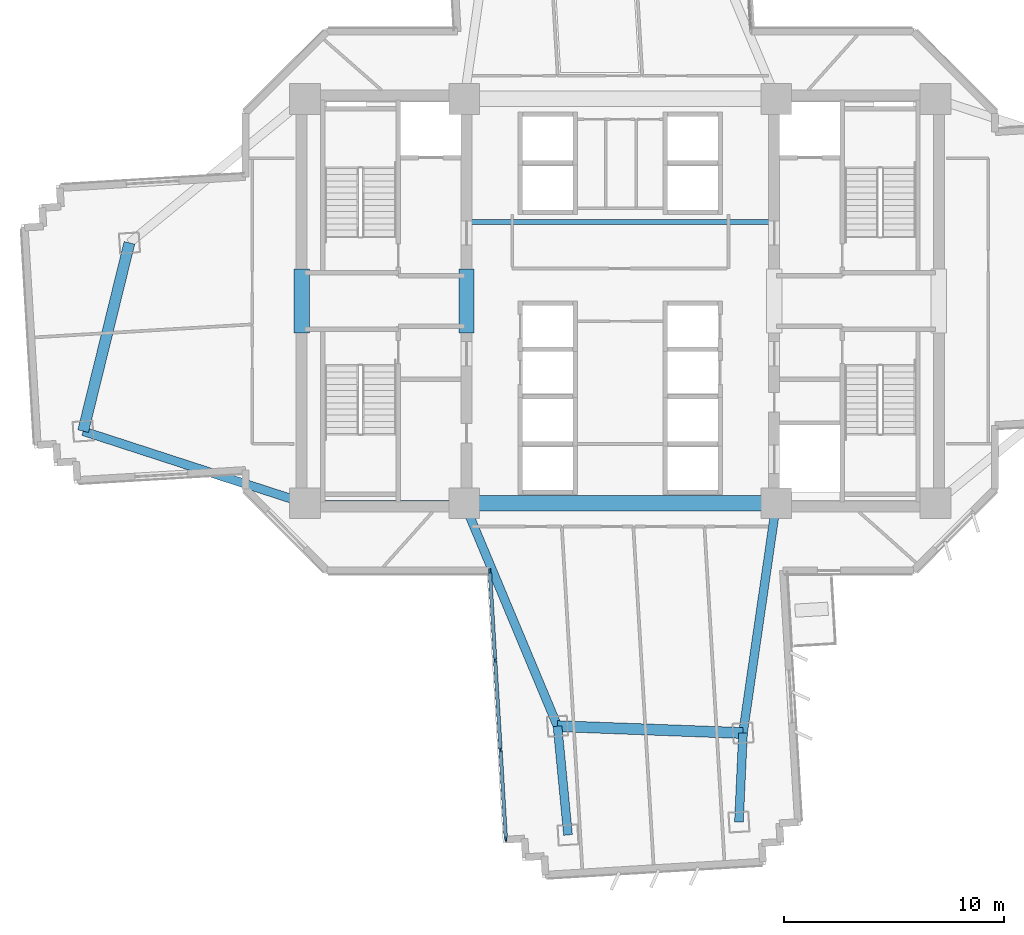
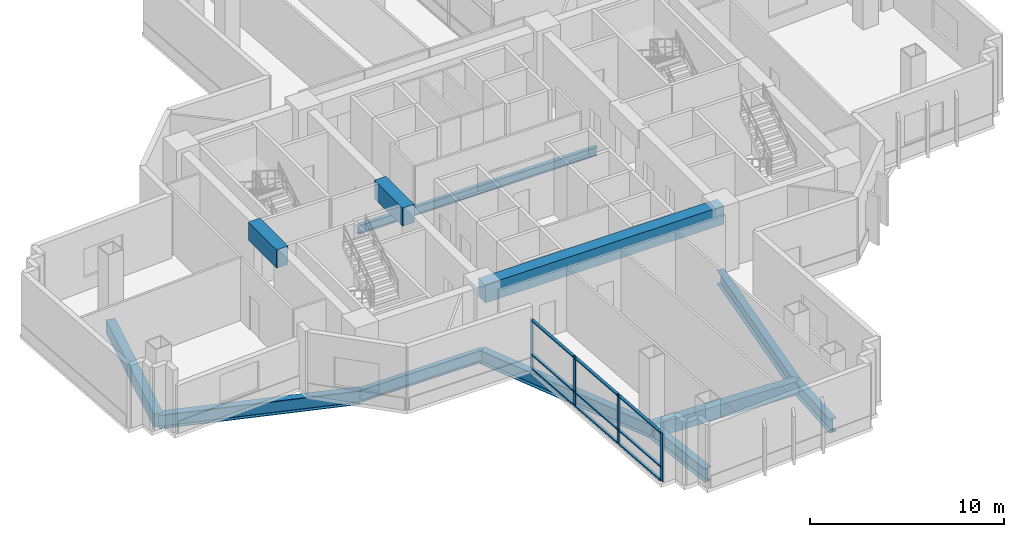
# One storey, part 2 of 15: 13 members, 12 beams, 1 element without a shape of its own.
"""IFC4 building model written with IfcOpenShell, lengths in metres."""

import ifcopenshell
import ifcopenshell.guid

model = None  # the IFC model being written
_history = None  # IfcOwnerHistory: only IFC2X3 demands one
_inside = {}  # id of a spatial element -> (the spatial element, [elements in it])
_under = {}  # id of a project, library or spatial element -> (it, [spatial elements below it])
_declared = {}  # id of a project -> (the project, [libraries it declares])
_typed = {}  # id of a type object -> (the type object, [elements of that type])
_made_of = {}  # id of a material, layer set ... -> (it, [elements and type objects made of it])


def new_model(schema):
    """Start an empty IFC model of exactly this schema.

    Asked for "IFC4X3", IfcOpenShell would pick the latest addendum, in which some entities
    have other attributes; the version numbers below select the first issue.
    IFC2X3 requires an IfcOwnerHistory on every rooted entity: one is made here for all.
    """
    global model, _history
    if schema == "IFC4X3":
        model = ifcopenshell.file(schema_version=(4, 3, 0, 0))
    else:
        model = ifcopenshell.file(schema=schema)
    _inside.clear()
    _under.clear()
    _declared.clear()
    _typed.clear()
    _made_of.clear()
    _history = None
    if model.schema == "IFC2X3":
        org = make("IfcOrganization", Name="unknown")
        user = make(
            "IfcPersonAndOrganization",
            ThePerson=make("IfcPerson", FamilyName="unknown"),
            TheOrganization=org,
        )
        app = make(
            "IfcApplication",
            ApplicationDeveloper=org,
            Version="unknown",
            ApplicationFullName="unknown",
            ApplicationIdentifier="unknown",
        )
        _history = make(
            "IfcOwnerHistory",
            OwningUser=user,
            OwningApplication=app,
            ChangeAction="ADDED",
            CreationDate=0,
        )
    return model


def make(cls, **values):
    """One entity of the class cls with the attributes given. An attribute that is None is left unset."""
    return model.create_entity(
        cls, **{name: value for name, value in values.items() if value is not None}
    )


def rooted(cls, **values):
    """An entity with a GlobalId (a new one), such as an element, a storey or a relation."""
    return make(cls, GlobalId=ifcopenshell.guid.new(), OwnerHistory=_history, **values)


def si_unit(unit_type, name, prefix=None):
    """IfcSIUnit, for example si_unit("LENGTHUNIT", "METRE", prefix="MILLI")."""
    return make("IfcSIUnit", UnitType=unit_type, Prefix=prefix, Name=name)


def assignment(units):
    """IfcUnitAssignment: the units of a project."""
    return None if units is None else make("IfcUnitAssignment", Units=units)


def point(xyz):
    """IfcCartesianPoint."""
    return None if xyz is None else make("IfcCartesianPoint", Coordinates=xyz)


def direction(xyz):
    """IfcDirection."""
    return None if xyz is None else make("IfcDirection", DirectionRatios=xyz)


def frame(location, z_axis=None, x_axis=None):
    """IfcAxis2Placement3D, a coordinate frame: its origin and axes. An axis left out is left unset."""
    return make(
        "IfcAxis2Placement3D",
        Location=point(location),
        Axis=direction(z_axis),
        RefDirection=direction(x_axis),
    )


def frame_2d(location, x_axis=None):
    """IfcAxis2Placement2D, a coordinate frame in the plane: its origin and x axis."""
    return make(
        "IfcAxis2Placement2D", Location=point(location), RefDirection=direction(x_axis)
    )


def origin():
    """The frame at (0, 0, 0) with its axes left unset."""
    return frame((0.0, 0.0, 0.0))


def origin_2d():
    """The frame at (0, 0) in the plane with its x axis left unset."""
    return frame_2d((0.0, 0.0))


def place(relative_to, where):
    """IfcLocalPlacement: puts the frame where relative to a parent placement (None: the world)."""
    return make(
        "IfcLocalPlacement", PlacementRelTo=relative_to, RelativePlacement=where
    )


def context(
    kind, dimensions, precision=None, world=None, true_north=None, identifier=None
):
    """IfcGeometricRepresentationContext, for example the 3D "Model" context."""
    return make(
        "IfcGeometricRepresentationContext",
        ContextIdentifier=identifier,
        ContextType=kind,
        CoordinateSpaceDimension=dimensions,
        Precision=precision,
        WorldCoordinateSystem=world,
        TrueNorth=true_north,
    )


def subcontext(parent, identifier, kind, view, scale=None):
    """IfcGeometricRepresentationSubContext, for example "Body" below "Model"."""
    return make(
        "IfcGeometricRepresentationSubContext",
        ContextIdentifier=identifier,
        ContextType=kind,
        ParentContext=parent,
        TargetScale=scale,
        TargetView=view,
    )


def project(units=None, contexts=None):
    """IfcProject with its units and contexts."""
    return rooted(
        "IfcProject",
        Name="project",
        RepresentationContexts=contexts,
        UnitsInContext=assignment(units),
    )


def spatial(cls, under=None, at=None, **own):
    """A site, building, storey or space (cls), placed at a placement, below another one or the project."""
    s = rooted(cls, ObjectPlacement=at, **own)
    if under is not None:
        _under.setdefault(under.id(), (under, []))[1].append(s)
    return s


def profile(cls, at=None, kind="AREA", **sizes):
    """A parametric profile (cls). Its sizes go by their IFC names, for example OverallWidth=200.0."""
    return make(cls, ProfileType=kind, Position=at, **sizes)


def rectangle(**sizes):
    """IfcRectangleProfileDef."""
    return profile("IfcRectangleProfileDef", **sizes)


def i_section(**sizes):
    """IfcIShapeProfileDef."""
    return profile("IfcIShapeProfileDef", **sizes)


def extrude(swept, where, along, depth):
    """IfcExtrudedAreaSolid: the profile swept, set in the frame where, extruded along a direction by depth."""
    return make(
        "IfcExtrudedAreaSolid",
        SweptArea=swept,
        Position=where,
        ExtrudedDirection=direction(along),
        Depth=depth,
    )


def shape(context_of_items, identifier, shape_type, items):
    """IfcShapeRepresentation: the items that make up one representation, for example the "Body"."""
    return make(
        "IfcShapeRepresentation",
        ContextOfItems=context_of_items,
        RepresentationIdentifier=identifier,
        RepresentationType=shape_type,
        Items=items,
    )


def source(mapping_origin, context_of_items, identifier, shape_type, items):
    """IfcRepresentationMap: a shape defined once, which mapped items show again and again."""
    return make(
        "IfcRepresentationMap",
        MappingOrigin=mapping_origin,
        MappedRepresentation=shape(context_of_items, identifier, shape_type, items),
    )


def transform(
    local_origin,
    x_axis=None,
    y_axis=None,
    z_axis=None,
    scale=None,
    scale2=None,
    scale3=None,
    uniform=True,
):
    """IfcCartesianTransformationOperator3D, or its non-uniform kind. x_axis, y_axis, z_axis: its Axis1, 2, 3."""
    if uniform:
        return make(
            "IfcCartesianTransformationOperator3D",
            Axis1=direction(x_axis),
            Axis2=direction(y_axis),
            LocalOrigin=point(local_origin),
            Scale=scale,
            Axis3=direction(z_axis),
        )
    return make(
        "IfcCartesianTransformationOperator3DnonUniform",
        Axis1=direction(x_axis),
        Axis2=direction(y_axis),
        LocalOrigin=point(local_origin),
        Scale=scale,
        Axis3=direction(z_axis),
        Scale2=scale2,
        Scale3=scale3,
    )


def mapped(mapping_source, mapping_target):
    """IfcMappedItem: shows the shape of a source again, moved by a transform."""
    return make(
        "IfcMappedItem", MappingSource=mapping_source, MappingTarget=mapping_target
    )


def material(Name=None, Category=None):
    """IfcMaterial."""
    return make("IfcMaterial", Name=Name, Category=Category)


def layer(
    of_material, thickness, ventilated=None, Name=None, Category=None, Priority=None
):
    """IfcMaterialLayer: one layer of a wall or slab, of a material (None: an air gap)."""
    return make(
        "IfcMaterialLayer",
        Material=of_material,
        LayerThickness=thickness,
        IsVentilated=ventilated,
        Name=Name,
        Category=Category,
        Priority=Priority,
    )


def layer_set(layers, Name=None):
    """IfcMaterialLayerSet."""
    return make("IfcMaterialLayerSet", MaterialLayers=layers, LayerSetName=Name)


def material_profile(
    of_material, cross_section, Name=None, Category=None, Priority=None
):
    """IfcMaterialProfile: a cross section and its material."""
    return make(
        "IfcMaterialProfile",
        Name=Name,
        Material=of_material,
        Profile=cross_section,
        Priority=Priority,
        Category=Category,
    )


def profile_set(profiles, Name=None, composite=None):
    """IfcMaterialProfileSet."""
    return make(
        "IfcMaterialProfileSet",
        Name=Name,
        MaterialProfiles=profiles,
        CompositeProfile=composite,
    )


def made_of(thing, what):
    """Note that an element or type object is made of a material, layer set ...; save() writes the relation."""
    if what is not None:
        _made_of.setdefault(what.id(), (what, []))[1].append(thing)
    return thing


def type_object(cls, material=None, **own):
    """A type object (cls), such as IfcWallType, which elements share."""
    return made_of(rooted(cls, **own), material)


def element(
    cls,
    number,
    at=None,
    inside=None,
    cuts=None,
    type_object=None,
    material=None,
    context=None,
    identifier="Body",
    shape_type=None,
    held_by="IfcProductDefinitionShape",
    body=None,
    shapes=None,
    **own,
):
    """One element of the class cls, such as IfcWall. Its Tag is "e" and its number.

    at: its placement. inside: the storey or other place that contains it. cuts: it is an
    opening in that element (IfcRelVoidsElement). A single representation is given by context,
    identifier, shape_type and body (its items); several are given by shapes. held_by: the class
    of the entity that holds the representations. save() writes the other relations.
    """
    e = rooted(cls, Tag="e%d" % number, ObjectPlacement=at, **own)
    if body is not None:
        shapes = [shape(context, identifier, shape_type, body)]
    if shapes is not None:
        e.Representation = make(held_by, Representations=shapes)
    if inside is not None:
        _inside.setdefault(inside.id(), (inside, []))[1].append(e)
    if cuts is not None:
        rooted(
            "IfcRelVoidsElement", RelatingBuildingElement=cuts, RelatedOpeningElement=e
        )
    if type_object is not None:
        _typed.setdefault(type_object.id(), (type_object, []))[1].append(e)
    return made_of(e, material)


def aggregate(whole, parts):
    """IfcRelAggregates: a whole, such as a stair, and the parts it consists of."""
    return rooted("IfcRelAggregates", RelatingObject=whole, RelatedObjects=parts)


def save(model, path):
    """Write the relations noted so far, then the file.

    IfcRelAggregates (storeys below a building ...), IfcRelContainedInSpatialStructure (elements
    in a storey), IfcRelDefinesByType, IfcRelAssociatesMaterial and IfcRelDeclares: one each for
    every whole, place, type object, material and project.
    """
    for whole, parts in _under.values():
        aggregate(whole, parts)
    for where, things in _inside.values():
        rooted(
            "IfcRelContainedInSpatialStructure",
            RelatedElements=things,
            RelatingStructure=where,
        )
    for kind, things in _typed.values():
        rooted("IfcRelDefinesByType", RelatedObjects=things, RelatingType=kind)
    for what, things in _made_of.values():
        rooted("IfcRelAssociatesMaterial", RelatedObjects=things, RelatingMaterial=what)
    for by, libraries in _declared.values():
        rooted("IfcRelDeclares", RelatingContext=by, RelatedDefinitions=libraries)
    model.write(path)


model = new_model("IFC4")

# Units and contexts
model_context = context("Model", 3, precision=1e-05, world=origin(), true_north=direction((0.0, 1.0)))
body_context = subcontext(model_context, "Body", "Model", "MODEL_VIEW")
ifc_project = project(units=[si_unit("LENGTHUNIT", "METRE"), si_unit("AREAUNIT", "SQUARE_METRE"), si_unit("VOLUMEUNIT", "CUBIC_METRE"), si_unit("PLANEANGLEUNIT", "RADIAN"), si_unit("MASSUNIT", "GRAM", prefix="KILO")], contexts=[model_context])

# Site, building, storey
site_placement = place(None, origin())
site = spatial("IfcSite", under=ifc_project, at=site_placement, CompositionType="ELEMENT")
building_placement = place(site_placement, origin())
building = spatial("IfcBuilding", under=site, at=building_placement, Name="Zahravan Cultural Tower", CompositionType="ELEMENT")
storey_placement = place(building_placement, frame((0.0, 0.0, 75.300048828125)))
storey = spatial("IfcBuildingStorey", under=building, at=storey_placement, Name="L16", CompositionType="ELEMENT", Elevation=75.300048828125)

# Beams
ifc_material_1 = material(Name="Concrete C50/60", Category="concrete")
ifc_material_profile_1 = material_profile(ifc_material_1, rectangle(XDim=0.699951171875, YDim=1.14990234375, at=origin_2d()), Name="RC700X1150")
ifc_profile_set_1 = profile_set([ifc_material_profile_1], Name="Concrete C50/60")
beam_type_1 = type_object("IfcBeamType", Name="BM-LN-RC700X1150", PredefinedType="LINTEL", material=ifc_profile_set_1)
shared_shape_1 = source(origin(), body_context, "Body", "SweptSolid", [
    extrude(rectangle(XDim=0.699951171875, YDim=1.14990234375, at=origin_2d()), origin(), (0.0, 0.0, 1.0), 14.2001953125),
])
beam_1_placement = place(storey_placement, frame((28.89990234375, 17.800048828125, 3.375), z_axis=(1.0, 0.0, 0.0), x_axis=(0.0, 1.0, 0.0)))
element("IfcBeam", 1, at=beam_1_placement, inside=storey, type_object=beam_type_1, Name="L16 Beam LN-L16-S", PredefinedType="LINTEL", context=body_context, shape_type="MappedRepresentation", body=[
    mapped(shared_shape_1, transform((0.0, 0.0, 0.0), x_axis=(1.0, 0.0, 0.0), y_axis=(0.0, 1.0, 0.0), z_axis=(0.0, 0.0, 1.0), scale=1.0)),
])
shared_shape_2 = source(origin(), body_context, "Body", "SweptSolid", [
    extrude(rectangle(XDim=0.699951171875, YDim=1.14990234375, at=origin_2d()), origin(), (0.0, 0.0, 1.0), 2.89990234375),
])
for number, where, z_axis, x_axis, name in (
    (2, (21.5, 25.550048828125, 3.375), (0.0, 1.0, 0.0), (-1.0, 0.0, 0.0), "L16 Beam LN-L16-PWW"),
    (3, (29.0, 25.550048828125, 3.375), (0.0, 1.0, 0.0), (-1.0, 0.0, 0.0), "L16 Beam LN-L16-PWE"),
):
    element("IfcBeam", number, at=place(storey_placement, frame(where, z_axis=z_axis, x_axis=x_axis)), inside=storey, type_object=beam_type_1, Name=name, PredefinedType="LINTEL", context=body_context, shape_type="MappedRepresentation", body=[
        mapped(shared_shape_2, transform((0.0, 0.0, 0.0), x_axis=(1.0, 0.0, 0.0), y_axis=(0.0, 1.0, 0.0), z_axis=(0.0, 0.0, 1.0), scale=1.0)),
    ])
ifc_material_2 = material(Name="Steel ASTM A992 Grade 50", Category="steel")
ifc_material_profile_2 = material_profile(ifc_material_2, i_section(OverallWidth=0.26611328125, OverallDepth=0.780029296875, WebThickness=0.0166015625, FlangeThickness=0.030029296875, FilletRadius=0.01904296875, at=origin_2d()), Name="W30X148")
ifc_profile_set_2 = profile_set([ifc_material_profile_2], Name="Steel ASTM A992 Grade 50")
beam_type_2 = type_object("IfcBeamType", Name="BM-G-W30X148", PredefinedType="BEAM", material=ifc_profile_set_2)
shared_shape_3 = source(origin(), body_context, "Body", "SweptSolid", [
    extrude(i_section(OverallWidth=0.26611328125, OverallDepth=0.780029296875, WebThickness=0.0166015625, FlangeThickness=0.030029296875, FilletRadius=0.01904296875, at=origin_2d()), origin(), (0.0, 0.0, 1.0), 7.25),
])
beam_2_placement = place(storey_placement, frame((21.64990234375, 17.800048828125, -0.64013671875), z_axis=(1.0, 0.0, 0.0), x_axis=(0.0, 1.0, 0.0)))
element("IfcBeam", 4, at=beam_2_placement, inside=storey, type_object=beam_type_2, Name="L16 Beam BG-L16-01", PredefinedType="BEAM", context=body_context, shape_type="MappedRepresentation", body=[
    mapped(shared_shape_3, transform((0.0, 0.0, 0.0), x_axis=(1.0, 0.0, 0.0), y_axis=(0.0, 1.0, 0.0), z_axis=(0.0, 0.0, 1.0), scale=1.0)),
])
ifc_material_profile_3 = material_profile(ifc_material_1, rectangle(XDim=0.5, YDim=0.85009765625, at=origin_2d()), Name="RC500X850")
ifc_profile_set_3 = profile_set([ifc_material_profile_3], Name="Concrete C50/60")
beam_type_3 = type_object("IfcBeamType", Name="BM-SP-RC500X850", PredefinedType="SPANDREL", material=ifc_profile_set_3)
shared_shape_4 = source(origin(), body_context, "Body", "SweptSolid", [
    extrude(rectangle(XDim=0.5, YDim=0.85009765625, at=origin_2d()), origin(), (0.0, 0.0, 1.0), 8.4482421875),
])
beam_3_placement = place(storey_placement, frame((33.142578125, 7.653564453125, -0.675048828125), z_axis=(0.999318826256, -0.036903705643, 0.0), x_axis=(0.036903705643, 0.999318826256, 0.0)))
element("IfcBeam", 5, at=beam_3_placement, inside=storey, type_object=beam_type_3, Name="L16 Beam SP-L16-19", PredefinedType="SPANDREL", context=body_context, shape_type="MappedRepresentation", body=[
    mapped(shared_shape_4, transform((0.0, 0.0, 0.0), x_axis=(1.0, 0.0, 0.0), y_axis=(0.0, 1.0, 0.0), z_axis=(0.0, 0.0, 1.0), scale=1.0)),
])
shared_shape_5 = source(origin(), body_context, "Body", "SweptSolid", [
    extrude(rectangle(XDim=0.5, YDim=0.85009765625, at=origin_2d()), origin(), (0.0, 0.0, 1.0), 8.8232421875),
])
beam_4_placement = place(storey_placement, frame((13.660888671875, 29.648193359375, -0.675048828125), z_axis=(-0.238848860516, -0.971056755206, 0.0), x_axis=(0.971056755206, -0.238848860516, 0.0)))
element("IfcBeam", 6, at=beam_4_placement, inside=storey, type_object=beam_type_3, Name="L16 Beam SP-L16-22", PredefinedType="SPANDREL", context=body_context, shape_type="MappedRepresentation", body=[
    mapped(shared_shape_5, transform((0.0, 0.0, 0.0), x_axis=(1.0, 0.0, 0.0), y_axis=(0.0, 1.0, 0.0), z_axis=(0.0, 0.0, 1.0), scale=1.0)),
])
ifc_material_profile_4 = material_profile(ifc_material_2, i_section(OverallWidth=0.39990234375, OverallDepth=0.862060546875, WebThickness=0.019775390625, FlangeThickness=0.032470703125, FilletRadius=0.02001953125, at=origin_2d()), Name="W33X221")
ifc_profile_set_4 = profile_set([ifc_material_profile_4], Name="Steel ASTM A992 Grade 50")
beam_type_4 = type_object("IfcBeamType", Name="BM-G-W33X221", PredefinedType="BEAM", material=ifc_profile_set_4)
shared_shape_6 = source(origin(), body_context, "Body", "SweptSolid", [
    extrude(i_section(OverallWidth=0.39990234375, OverallDepth=0.862060546875, WebThickness=0.019775390625, FlangeThickness=0.032470703125, FilletRadius=0.02001953125, at=origin_2d()), origin(), (0.0, 0.0, 1.0), 10.615966796875),
])
beam_5_placement = place(storey_placement, frame((21.64990234375, 17.800048828125, -0.68115234375), z_axis=(-0.951063640083, 0.30899506875, 0.0), x_axis=(-0.30899506875, -0.951063640083, 0.0)))
element("IfcBeam", 7, at=beam_5_placement, inside=storey, type_object=beam_type_4, Name="L16 Beam BG-L16-07", PredefinedType="BEAM", context=body_context, shape_type="MappedRepresentation", body=[
    mapped(shared_shape_6, transform((0.0, 0.0, 0.0), x_axis=(1.0, 0.0, 0.0), y_axis=(0.0, 1.0, 0.0), z_axis=(0.0, 0.0, 1.0), scale=1.0)),
])
shared_shape_7 = source(origin(), body_context, "Body", "SweptSolid", [
    extrude(i_section(OverallWidth=0.39990234375, OverallDepth=0.862060546875, WebThickness=0.019775390625, FlangeThickness=0.032470703125, FilletRadius=0.02001953125, at=origin_2d()), origin(), (0.0, 0.0, 1.0), 10.997802734375),
])
beam_6_placement = place(storey_placement, frame((28.89990234375, 17.800048828125, -0.68115234375), z_axis=(0.385775211449, -0.922592806297, 0.0), x_axis=(0.922592806297, 0.385775211449, 0.0)))
element("IfcBeam", 8, at=beam_6_placement, inside=storey, type_object=beam_type_4, Name="L16 Beam BG-L16-08", PredefinedType="BEAM", context=body_context, shape_type="MappedRepresentation", body=[
    mapped(shared_shape_7, transform((0.0, 0.0, 0.0), x_axis=(1.0, 0.0, 0.0), y_axis=(0.0, 1.0, 0.0), z_axis=(0.0, 0.0, 1.0), scale=1.0)),
])
shared_shape_8 = source(origin(), body_context, "Body", "SweptSolid", [
    extrude(i_section(OverallWidth=0.39990234375, OverallDepth=0.862060546875, WebThickness=0.019775390625, FlangeThickness=0.032470703125, FilletRadius=0.02001953125, at=origin_2d()), origin(), (0.0, 0.0, 1.0), 10.5673828125),
])
beam_7_placement = place(storey_placement, frame((43.10009765625, 17.800048828125, -0.68115234375), z_axis=(-0.143377913539, -0.989668011966, 0.0), x_axis=(0.989668011966, -0.143377913539, 0.0)))
element("IfcBeam", 9, at=beam_7_placement, inside=storey, type_object=beam_type_4, Name="L16 Beam BG-L16-09", PredefinedType="BEAM", context=body_context, shape_type="MappedRepresentation", body=[
    mapped(shared_shape_8, transform((0.0, 0.0, 0.0), x_axis=(1.0, 0.0, 0.0), y_axis=(0.0, 1.0, 0.0), z_axis=(0.0, 0.0, 1.0), scale=1.0)),
])
shared_shape_9 = source(origin(), body_context, "Body", "SweptSolid", [
    extrude(i_section(OverallWidth=0.39990234375, OverallDepth=0.862060546875, WebThickness=0.019775390625, FlangeThickness=0.032470703125, FilletRadius=0.02001953125, at=origin_2d()), origin(), (0.0, 0.0, 1.0), 4.973876953125),
])
beam_8_placement = place(storey_placement, frame((33.142578125, 7.653564453125, -0.68115234375), z_axis=(0.096154779131, -0.995366394073, 0.0), x_axis=(0.995366394073, 0.096154779131, 0.0)))
element("IfcBeam", 10, at=beam_8_placement, inside=storey, type_object=beam_type_4, Name="L16 Beam BG-L16-17", PredefinedType="BEAM", context=body_context, shape_type="MappedRepresentation", body=[
    mapped(shared_shape_9, transform((0.0, 0.0, 0.0), x_axis=(1.0, 0.0, 0.0), y_axis=(0.0, 1.0, 0.0), z_axis=(0.0, 0.0, 1.0), scale=1.0)),
])
shared_shape_10 = source(origin(), body_context, "Body", "SweptSolid", [
    extrude(i_section(OverallWidth=0.39990234375, OverallDepth=0.862060546875, WebThickness=0.019775390625, FlangeThickness=0.032470703125, FilletRadius=0.02001953125, at=origin_2d()), origin(), (0.0, 0.0, 1.0), 4.0537109375),
])
beam_9_placement = place(storey_placement, frame((41.5849609375, 7.341796875, -0.68115234375), z_axis=(-0.045770994677, -0.998951958828, 0.0), x_axis=(0.998951958828, -0.045770994677, 0.0)))
element("IfcBeam", 11, at=beam_9_placement, inside=storey, type_object=beam_type_4, Name="L16 Beam BG-L16-18", PredefinedType="BEAM", context=body_context, shape_type="MappedRepresentation", body=[
    mapped(shared_shape_10, transform((0.0, 0.0, 0.0), x_axis=(1.0, 0.0, 0.0), y_axis=(0.0, 1.0, 0.0), z_axis=(0.0, 0.0, 1.0), scale=1.0)),
])
ifc_material_profile_5 = material_profile(ifc_material_2, i_section(OverallWidth=0.214111328125, OverallDepth=0.549072265625, WebThickness=0.0146484375, FlangeThickness=0.023681640625, FilletRadius=0.013916015625, at=origin_2d()), Name="W21X93")
ifc_profile_set_5 = profile_set([ifc_material_profile_5], Name="Steel ASTM A992 Grade 50")
beam_type_5 = type_object("IfcBeamType", Name="BM-J-W21X93", PredefinedType="JOIST", material=ifc_profile_set_5)
shared_shape_11 = source(origin(), body_context, "Body", "SweptSolid", [
    extrude(i_section(OverallWidth=0.214111328125, OverallDepth=0.549072265625, WebThickness=0.0146484375, FlangeThickness=0.023681640625, FilletRadius=0.013916015625, at=origin_2d()), origin(), (0.0, 0.0, 1.0), 14.2001953125),
])
beam_10_placement = place(storey_placement, frame((28.89990234375, 30.60009765625, -0.524658203125), z_axis=(1.0, 0.0, 0.0), x_axis=(0.0, 1.0, 0.0)))
element("IfcBeam", 12, at=beam_10_placement, inside=storey, type_object=beam_type_5, Name="L16 Beam BJ-L16-23", PredefinedType="JOIST", context=body_context, shape_type="MappedRepresentation", body=[
    mapped(shared_shape_11, transform((0.0, 0.0, 0.0), x_axis=(1.0, 0.0, 0.0), y_axis=(0.0, 1.0, 0.0), z_axis=(0.0, 0.0, 1.0), scale=1.0)),
])

# Curtain wall, members
ifc_material_3 = material(Name="Anodised bronze-aluminium mullion", Category="aluminium")
ifc_layer = layer(ifc_material_3, 0.219970703125)
ifc_layer_set = layer_set([ifc_layer], Name="Anodised bronze-aluminium mullion")
curtain_wall_type = type_object("IfcCurtainWallType", Name="CW-SYS-1", PredefinedType="USERDEFINED", material=ifc_layer_set)
curtain_wall_placement = place(storey_placement, origin())
curtain_wall = element("IfcCurtainWall", 13, at=curtain_wall_placement, inside=storey, type_object=curtain_wall_type, Name="L16 Recessed Curtain Wall CW-1.1", ObjectType="RECESSED GLAZING", PredefinedType="USERDEFINED")
ifc_material_profile_6 = material_profile(ifc_material_3, rectangle(XDim=0.080078125, YDim=0.219970703125, at=origin_2d()), Name="AL-M80X220")
ifc_profile_set_6 = profile_set([ifc_material_profile_6], Name="Anodised bronze-aluminium mullion")
member_type_1 = type_object("IfcMemberType", Name="CWM-CW-1", PredefinedType="MULLION", material=ifc_profile_set_6)
shared_shape_12 = source(origin(), body_context, "Body", "SweptSolid", [
    extrude(rectangle(XDim=0.080078125, YDim=0.219970703125, at=origin_2d()), origin(), (0.0, 0.0, 1.0), 3.070068359375),
])
member_1_placement = place(storey_placement, frame((30.790771484375, 2.525634765625, 0.0), z_axis=(0.0, 0.0, 1.0), x_axis=(-0.998219222021, -0.059652198511, 0.0)))
member_1 = element("IfcMember", 14, at=member_1_placement, type_object=member_type_1, Name="CW-1 mullion 1", PredefinedType="MULLION", context=body_context, shape_type="MappedRepresentation", body=[
    mapped(shared_shape_12, transform((0.0, 0.0, 0.0), x_axis=(1.0, 0.0, 0.0), y_axis=(0.0, 1.0, 0.0), z_axis=(0.0, 0.0, 1.0), scale=1.0)),
])
member_2_placement = place(storey_placement, frame((30.549072265625, 6.570556640625, 0.0), z_axis=(0.0, 0.0, 1.0), x_axis=(-0.998219222021, -0.059652198511, 0.0)))
member_2 = element("IfcMember", 15, at=member_2_placement, type_object=member_type_1, Name="CW-1 mullion 2", PredefinedType="MULLION", context=body_context, shape_type="MappedRepresentation", body=[
    mapped(shared_shape_12, transform((0.0, 0.0, 0.0), x_axis=(1.0, 0.0, 0.0), y_axis=(0.0, 1.0, 0.0), z_axis=(0.0, 0.0, 1.0), scale=1.0)),
])
member_3_placement = place(storey_placement, frame((30.304931640625, 10.6552734375, 0.0), z_axis=(0.0, 0.0, 1.0), x_axis=(-0.998219222021, -0.059652198511, 0.0)))
member_3 = element("IfcMember", 16, at=member_3_placement, type_object=member_type_1, Name="CW-1 mullion 3", PredefinedType="MULLION", context=body_context, shape_type="MappedRepresentation", body=[
    mapped(shared_shape_12, transform((0.0, 0.0, 0.0), x_axis=(1.0, 0.0, 0.0), y_axis=(0.0, 1.0, 0.0), z_axis=(0.0, 0.0, 1.0), scale=1.0)),
])
member_4_placement = place(storey_placement, frame((30.063232421875, 14.699951171875, 0.0), z_axis=(0.0, 0.0, 1.0), x_axis=(-0.998219222021, -0.059652198511, 0.0)))
member_4 = element("IfcMember", 17, at=member_4_placement, type_object=member_type_1, Name="CW-1 mullion 4", PredefinedType="MULLION", context=body_context, shape_type="MappedRepresentation", body=[
    mapped(shared_shape_12, transform((0.0, 0.0, 0.0), x_axis=(1.0, 0.0, 0.0), y_axis=(0.0, 1.0, 0.0), z_axis=(0.0, 0.0, 1.0), scale=1.0)),
])
ifc_material_profile_7 = material_profile(ifc_material_3, rectangle(XDim=0.159912109375, YDim=0.080078125, at=origin_2d()), Name="AL-T80X160")
ifc_profile_set_7 = profile_set([ifc_material_profile_7], Name="Anodised bronze-aluminium mullion")
member_type_2 = type_object("IfcMemberType", Name="CWT-CW-1", PredefinedType="USERDEFINED", material=ifc_profile_set_7)
shared_shape_13 = source(origin(), body_context, "Body", "SweptSolid", [
    extrude(rectangle(XDim=0.159912109375, YDim=0.080078125, at=origin_2d()), origin(), (0.0, 0.0, 1.0), 3.971923828125),
])
member_5_placement = place(storey_placement, frame((30.788330078125, 2.565673828125, 0.0400390625), z_axis=(-0.059684052693, 0.998217317949, 0.0), x_axis=(-0.998217317949, -0.059684052693, 0.0)))
member_5 = element("IfcMember", 18, at=member_5_placement, type_object=member_type_2, Name="CW-1 transom 1.1", ObjectType="TRANSOM", PredefinedType="USERDEFINED", context=body_context, shape_type="MappedRepresentation", body=[
    mapped(shared_shape_13, transform((0.0, 0.0, 0.0), x_axis=(1.0, 0.0, 0.0), y_axis=(0.0, 1.0, 0.0), z_axis=(0.0, 0.0, 1.0), scale=1.0)),
])
member_6_placement = place(storey_placement, frame((30.788330078125, 2.565673828125, 0.89990234375), z_axis=(-0.059684052693, 0.998217317949, 0.0), x_axis=(-0.998217317949, -0.059684052693, 0.0)))
member_6 = element("IfcMember", 19, at=member_6_placement, type_object=member_type_2, Name="CW-1 transom 1.2", ObjectType="TRANSOM", PredefinedType="USERDEFINED", context=body_context, shape_type="MappedRepresentation", body=[
    mapped(shared_shape_13, transform((0.0, 0.0, 0.0), x_axis=(1.0, 0.0, 0.0), y_axis=(0.0, 1.0, 0.0), z_axis=(0.0, 0.0, 1.0), scale=1.0)),
])
member_7_placement = place(storey_placement, frame((30.788330078125, 2.565673828125, 3.030029296875), z_axis=(-0.059684052693, 0.998217317949, 0.0), x_axis=(-0.998217317949, -0.059684052693, 0.0)))
member_7 = element("IfcMember", 20, at=member_7_placement, type_object=member_type_2, Name="CW-1 transom 1.3", ObjectType="TRANSOM", PredefinedType="USERDEFINED", context=body_context, shape_type="MappedRepresentation", body=[
    mapped(shared_shape_13, transform((0.0, 0.0, 0.0), x_axis=(1.0, 0.0, 0.0), y_axis=(0.0, 1.0, 0.0), z_axis=(0.0, 0.0, 1.0), scale=1.0)),
])
shared_shape_14 = source(origin(), body_context, "Body", "SweptSolid", [
    extrude(rectangle(XDim=0.159912109375, YDim=0.080078125, at=origin_2d()), origin(), (0.0, 0.0, 1.0), 4.011962890625),
])
member_8_placement = place(storey_placement, frame((30.546630859375, 6.6103515625, 0.0400390625), z_axis=(-0.059635200737, 0.99822023764, 0.0), x_axis=(-0.99822023764, -0.059635200737, 0.0)))
member_8 = element("IfcMember", 21, at=member_8_placement, type_object=member_type_2, Name="CW-1 transom 2.1", ObjectType="TRANSOM", PredefinedType="USERDEFINED", context=body_context, shape_type="MappedRepresentation", body=[
    mapped(shared_shape_14, transform((0.0, 0.0, 0.0), x_axis=(1.0, 0.0, 0.0), y_axis=(0.0, 1.0, 0.0), z_axis=(0.0, 0.0, 1.0), scale=1.0)),
])
member_9_placement = place(storey_placement, frame((30.546630859375, 6.6103515625, 0.89990234375), z_axis=(-0.059635200737, 0.99822023764, 0.0), x_axis=(-0.99822023764, -0.059635200737, 0.0)))
member_9 = element("IfcMember", 22, at=member_9_placement, type_object=member_type_2, Name="CW-1 transom 2.2", ObjectType="TRANSOM", PredefinedType="USERDEFINED", context=body_context, shape_type="MappedRepresentation", body=[
    mapped(shared_shape_14, transform((0.0, 0.0, 0.0), x_axis=(1.0, 0.0, 0.0), y_axis=(0.0, 1.0, 0.0), z_axis=(0.0, 0.0, 1.0), scale=1.0)),
])
member_10_placement = place(storey_placement, frame((30.546630859375, 6.6103515625, 3.030029296875), z_axis=(-0.059635200737, 0.99822023764, 0.0), x_axis=(-0.99822023764, -0.059635200737, 0.0)))
member_10 = element("IfcMember", 23, at=member_10_placement, type_object=member_type_2, Name="CW-1 transom 2.3", ObjectType="TRANSOM", PredefinedType="USERDEFINED", context=body_context, shape_type="MappedRepresentation", body=[
    mapped(shared_shape_14, transform((0.0, 0.0, 0.0), x_axis=(1.0, 0.0, 0.0), y_axis=(0.0, 1.0, 0.0), z_axis=(0.0, 0.0, 1.0), scale=1.0)),
])
shared_shape_15 = source(origin(), body_context, "Body", "SweptSolid", [
    extrude(rectangle(XDim=0.159912109375, YDim=0.080078125, at=origin_2d()), origin(), (0.0, 0.0, 1.0), 3.97216796875),
])
member_11_placement = place(storey_placement, frame((30.302490234375, 10.695068359375, 0.0400390625), z_axis=(-0.059619146648, 0.998221196606, 0.0), x_axis=(-0.998221196606, -0.059619146648, 0.0)))
member_11 = element("IfcMember", 24, at=member_11_placement, type_object=member_type_2, Name="CW-1 transom 3.1", ObjectType="TRANSOM", PredefinedType="USERDEFINED", context=body_context, shape_type="MappedRepresentation", body=[
    mapped(shared_shape_15, transform((0.0, 0.0, 0.0), x_axis=(1.0, 0.0, 0.0), y_axis=(0.0, 1.0, 0.0), z_axis=(0.0, 0.0, 1.0), scale=1.0)),
])
member_12_placement = place(storey_placement, frame((30.302490234375, 10.695068359375, 0.89990234375), z_axis=(-0.059619146648, 0.998221196606, 0.0), x_axis=(-0.998221196606, -0.059619146648, 0.0)))
member_12 = element("IfcMember", 25, at=member_12_placement, type_object=member_type_2, Name="CW-1 transom 3.2", ObjectType="TRANSOM", PredefinedType="USERDEFINED", context=body_context, shape_type="MappedRepresentation", body=[
    mapped(shared_shape_15, transform((0.0, 0.0, 0.0), x_axis=(1.0, 0.0, 0.0), y_axis=(0.0, 1.0, 0.0), z_axis=(0.0, 0.0, 1.0), scale=1.0)),
])
member_13_placement = place(storey_placement, frame((30.302490234375, 10.695068359375, 3.030029296875), z_axis=(-0.059619146648, 0.998221196606, 0.0), x_axis=(-0.998221196606, -0.059619146648, 0.0)))
member_13 = element("IfcMember", 26, at=member_13_placement, type_object=member_type_2, Name="CW-1 transom 3.3", ObjectType="TRANSOM", PredefinedType="USERDEFINED", context=body_context, shape_type="MappedRepresentation", body=[
    mapped(shared_shape_15, transform((0.0, 0.0, 0.0), x_axis=(1.0, 0.0, 0.0), y_axis=(0.0, 1.0, 0.0), z_axis=(0.0, 0.0, 1.0), scale=1.0)),
])
aggregate(curtain_wall, [member_1, member_2, member_3, member_4, member_5, member_6, member_7, member_8, member_9, member_10, member_11, member_12, member_13])

save(model, "model.ifc")
